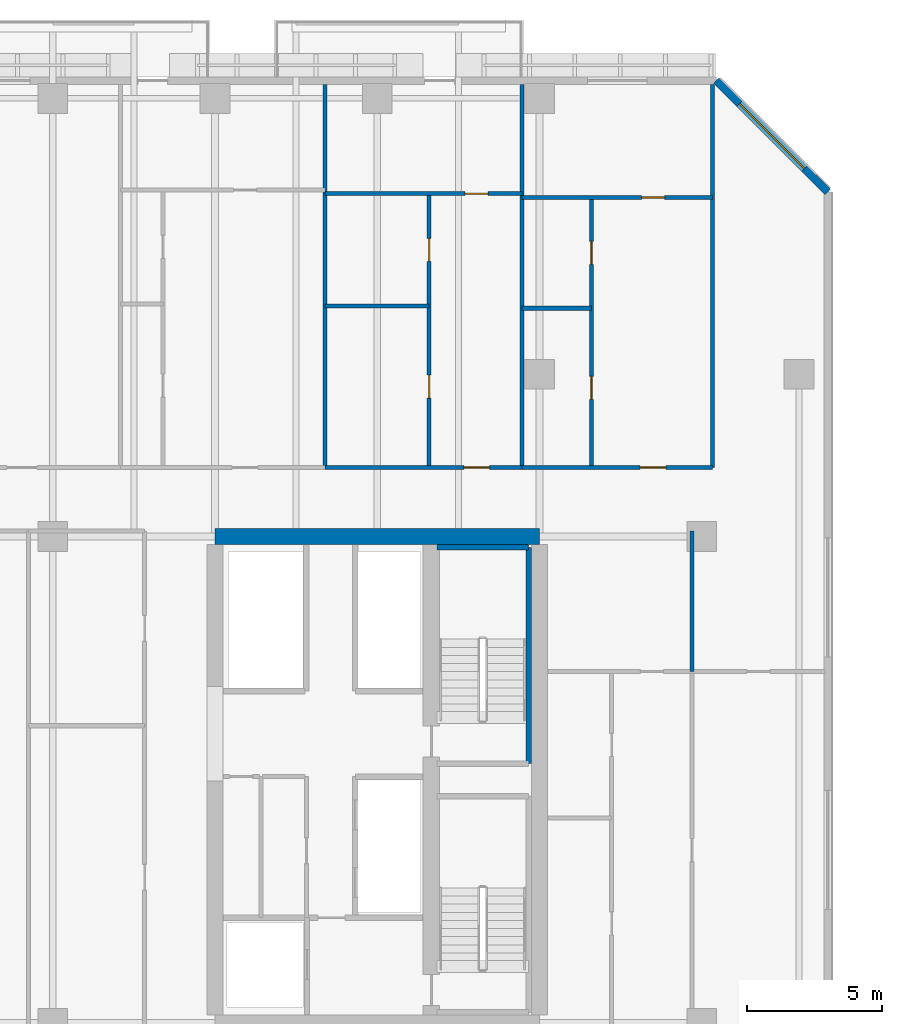
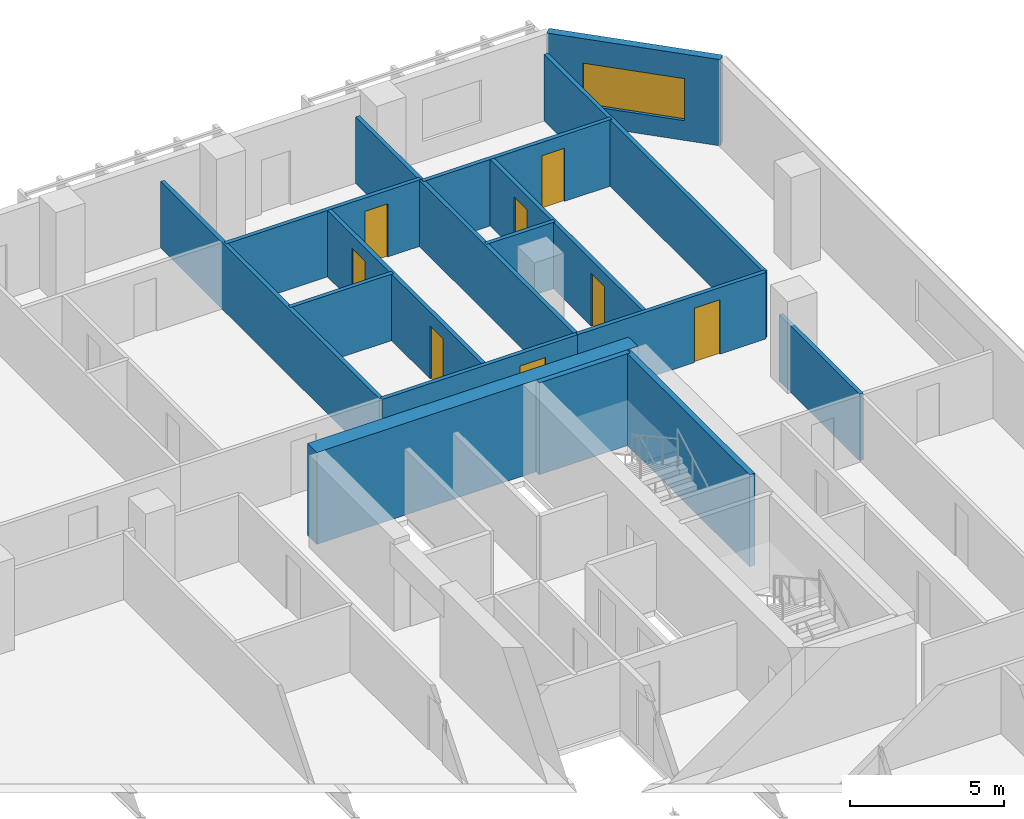
# One storey, part 16 of 26: 16 walls, 8 doors, 1 window, 9 openings.
"""IFC4 building model written with IfcOpenShell, lengths in metres."""

from ifc_helpers import new_model, si_unit, direction, frame, frame_2d, origin, place, context, subcontext, project, spatial, rectangle, extrude, material, layer, layer_set, type_object, element, fill, save


model = new_model("IFC4")

# Units and contexts
model_context = context("Model", 3, precision=1e-05, world=origin(), true_north=direction((0.0, 1.0)))
body_context = subcontext(model_context, "Body", "Model", "MODEL_VIEW")
ifc_project = project(units=[si_unit("LENGTHUNIT", "METRE"), si_unit("AREAUNIT", "SQUARE_METRE"), si_unit("VOLUMEUNIT", "CUBIC_METRE"), si_unit("PLANEANGLEUNIT", "RADIAN"), si_unit("MASSUNIT", "GRAM", prefix="KILO")], contexts=[model_context])

# Site, building, storey
site_placement = place(None, origin())
site = spatial("IfcSite", under=ifc_project, at=site_placement, CompositionType="ELEMENT")
building_placement = place(site_placement, origin())
building = spatial("IfcBuilding", under=site, at=building_placement, Name="Tanjung Sevakor Pilgrim Tower", CompositionType="ELEMENT")
storey_placement = place(building_placement, frame((0.0, 0.0, 66.0)))
storey = spatial("IfcBuildingStorey", under=building, at=storey_placement, Name="L18", CompositionType="ELEMENT", Elevation=66.0)

# Walls
ifc_material_1 = material(Name="Concrete C60/75", Category="concrete")
ifc_layer_1 = layer(ifc_material_1, 0.60009765625)
ifc_layer_set_1 = layer_set([ifc_layer_1], Name="WALL-CW-600")
wall_type_1 = type_object("IfcWallType", Name="WALL-CW-600", PredefinedType="SHEAR", material=ifc_layer_set_1)
wall_1_placement = place(storey_placement, frame((90.0, 42.60009765625, 0.0), z_axis=(0.0, 0.0, 1.0), x_axis=(-1.0, 0.0, 0.0)))
element("IfcWall", 1, at=wall_1_placement, inside=storey, type_object=wall_type_1, Name="L18 E Core North Shear Wall", PredefinedType="SHEAR", context=body_context, shape_type="SweptSolid", body=[
    extrude(rectangle(XDim=12.0, YDim=0.60009765625, at=frame_2d((6.0, 0.0))), origin(), (0.0, 0.0, 1.0), 3.6298828125),
])
ifc_material_2 = material(Name="Concrete C40/50", Category="concrete")
ifc_layer_2 = layer(ifc_material_2, 0.14990234375)
ifc_layer_set_2 = layer_set([ifc_layer_2], Name="WT-COMP-150")
wall_type_2 = type_object("IfcWallType", Name="WT-COMP-150", PredefinedType="SOLIDWALL", material=ifc_layer_set_2)
for number, where, z_axis, x_axis, name in (
    (2, (96.39990234375, 45.14990234375, 0.0), (0.0, 0.0, 1.0), (0.0, 1.0, 0.0), "L18 Partition IW-L18-091"),
    (3, (82.05908203125, 45.14990234375, 0.0), (0.0, 0.0, 1.0), (0.0, 1.0, 0.0), "L18 Partition IW-L18-104"),
    (4, (89.355224609375, 45.14990234375, 0.0), (0.0, 0.0, 1.0), (0.0, 1.0, 0.0), "L18 Partition IW-L18-109"),
):
    element("IfcWall", number, at=place(storey_placement, frame(where, z_axis=z_axis, x_axis=x_axis)), inside=storey, type_object=wall_type_2, Name=name, PredefinedType="SOLIDWALL", context=body_context, shape_type="SweptSolid", body=[
        extrude(rectangle(XDim=14.170166015625, YDim=0.14990234375, at=frame_2d((7.0849609375, 0.0))), origin(), (0.0, 0.0, 1.0), 2.6298828125),
    ])

# Wall, opening, door
wall_2_placement = place(storey_placement, frame((82.05908203125, 45.14990234375, 0.0), z_axis=(0.0, 0.0, 1.0), x_axis=(1.0, 0.0, 0.0)))
wall_2 = element("IfcWall", 5, at=wall_2_placement, inside=storey, type_object=wall_type_2, Name="L18 Partition IW-L18-113", PredefinedType="SOLIDWALL", context=body_context, shape_type="SweptSolid", body=[
    extrude(rectangle(XDim=7.296142578125, YDim=0.14990234375, at=frame_2d((3.64794921875, 0.0))), origin(), (0.0, 0.0, 1.0), 2.6298828125),
])
opening_1_placement = place(wall_2_placement, frame((5.1435546875, 0.0, 0.0)))
opening_1 = element("IfcOpeningElement", 6, at=opening_1_placement, cuts=wall_2, Name="Opening ID-FD2", PredefinedType="OPENING", context=body_context, shape_type="SweptSolid", body=[
    extrude(rectangle(XDim=0.949951171875, YDim=2.14990234375, at=frame_2d((0.47509765625, 1.074951171875))), frame((0.0, 0.0849609375, 0.0), z_axis=(0.0, -1.0, 0.0), x_axis=(1.0, 0.0, 0.0)), (0.0, 0.0, 1.0), 0.169921875),
])
ifc_material_3 = material(Name="Fire-Rated Timber", Category="wood")
door_type_1 = type_object("IfcDoorType", Name="DT-FIRE-950", OperationType="NOTDEFINED", PredefinedType="DOOR", material=ifc_material_3)
door_1_placement = place(opening_1_placement, origin())
door_1 = element("IfcDoor", 7, at=door_1_placement, inside=storey, type_object=door_type_1, Name="Residence Entrance", OperationType="SINGLE_SWING_LEFT", OverallHeight=2.14990234375, OverallWidth=0.949951171875, PredefinedType="DOOR", context=body_context, shape_type="SweptSolid", body=[
    extrude(rectangle(XDim=0.949951171875, YDim=2.14990234375, at=frame_2d((0.47509765625, 1.074951171875))), frame((0.0, 0.02490234375, 0.0), z_axis=(0.0, -1.0, 0.0), x_axis=(1.0, 0.0, 0.0)), (0.0, 0.0, 1.0), 0.050048828125),
])
fill(opening_1, door_1)

wall_3_placement = place(storey_placement, frame((89.355224609375, 45.14990234375, 0.0), z_axis=(0.0, 0.0, 1.0), x_axis=(1.0, 0.0, 0.0)))
wall_3 = element("IfcWall", 8, at=wall_3_placement, inside=storey, type_object=wall_type_2, Name="L18 Partition IW-L18-117", PredefinedType="SOLIDWALL", context=body_context, shape_type="SweptSolid", body=[
    extrude(rectangle(XDim=7.044677734375, YDim=0.14990234375, at=frame_2d((3.5224609375, 0.0))), origin(), (0.0, 0.0, 1.0), 2.6298828125),
])
opening_2_placement = place(wall_3_placement, frame((4.36962890625, 0.0, 0.0)))
opening_2 = element("IfcOpeningElement", 9, at=opening_2_placement, cuts=wall_3, Name="Opening ID-FD2", PredefinedType="OPENING", context=body_context, shape_type="SweptSolid", body=[
    extrude(rectangle(XDim=0.949951171875, YDim=2.14990234375, at=frame_2d((0.47509765625, 1.074951171875))), frame((0.0, 0.0849609375, 0.0), z_axis=(0.0, -1.0, 0.0), x_axis=(1.0, 0.0, 0.0)), (0.0, 0.0, 1.0), 0.169921875),
])
door_2_placement = place(opening_2_placement, origin())
door_2 = element("IfcDoor", 10, at=door_2_placement, inside=storey, type_object=door_type_1, Name="Residence Entrance", OperationType="SINGLE_SWING_LEFT", OverallHeight=2.14990234375, OverallWidth=0.949951171875, PredefinedType="DOOR", context=body_context, shape_type="SweptSolid", body=[
    extrude(rectangle(XDim=0.949951171875, YDim=2.14990234375, at=frame_2d((0.47509765625, 1.074951171875))), frame((0.0, 0.02490234375, 0.0), z_axis=(0.0, -1.0, 0.0), x_axis=(1.0, 0.0, 0.0)), (0.0, 0.0, 1.0), 0.050048828125),
])
fill(opening_2, door_2)

# Wall, opening, window
ifc_material_4 = material(Name="Precast concrete C45/55", Category="concrete")
ifc_layer_3 = layer(ifc_material_4, 0.280029296875)
ifc_layer_set_3 = layer_set([ifc_layer_3], Name="WT-EW-STN2")
wall_type_3 = type_object("IfcWallType", Name="WT-EW-STN2", PredefinedType="SOLIDWALL", material=ifc_layer_set_3)
wall_4_placement = place(storey_placement, frame((100.659912109375, 55.342041015625, 0.0), z_axis=(0.0, 0.0, 1.0), x_axis=(-0.707106781187, 0.707106781187, 0.0)))
wall_4 = element("IfcWall", 11, at=wall_4_placement, inside=storey, type_object=wall_type_3, Name="L18 MAIN Sculpted Corner Wall 7", PredefinedType="SOLIDWALL", context=body_context, shape_type="SweptSolid", body=[
    extrude(rectangle(XDim=5.82373046875, YDim=0.280029296875, at=frame_2d((2.911865234375, 0.0))), origin(), (0.0, 0.0, 1.0), 3.409912109375),
])
opening_3_placement = place(wall_4_placement, frame((1.2119140625, 0.0, 0.780029296875)))
opening_3 = element("IfcOpeningElement", 12, at=opening_3_placement, cuts=wall_4, Name="Opening WN-CHM-1660", PredefinedType="OPENING", context=body_context, shape_type="SweptSolid", body=[
    extrude(rectangle(XDim=3.39990234375, YDim=1.659912109375, at=frame_2d((1.699951171875, 0.830078125))), frame((0.0, 0.14990234375, 0.0), z_axis=(0.0, -1.0, 0.0), x_axis=(1.0, 0.0, 0.0)), (0.0, 0.0, 1.0), 0.300048828125),
])
ifc_material_5 = material(Name="Thermally Broken Aluminium and Low-E Glass", Category="aluminium")
window_type = type_object("IfcWindowType", Name="WTYP-WN-CHM-1660", PartitioningType="DOUBLE_PANEL_VERTICAL", PredefinedType="WINDOW", material=ifc_material_5)
window_placement = place(opening_3_placement, origin())
window = element("IfcWindow", 13, at=window_placement, inside=storey, type_object=window_type, Name="L18 Facade Window 01", OverallHeight=1.659912109375, OverallWidth=3.39990234375, PartitioningType="SINGLE_PANEL", PredefinedType="WINDOW", context=body_context, shape_type="SweptSolid", body=[
    extrude(rectangle(XDim=3.39990234375, YDim=1.659912109375, at=frame_2d((1.699951171875, 0.830078125))), frame((0.0, 0.030029296875, 0.0), z_axis=(0.0, -1.0, 0.0), x_axis=(1.0, 0.0, 0.0)), (0.0, 0.0, 1.0), 0.06005859375),
])
fill(opening_3, window)

# Walls
ifc_material_6 = material(Name="Concrete C40/50", Category="concrete")
ifc_layer_4 = layer(ifc_material_6, 0.199951171875)
ifc_layer_set_4 = layer_set([ifc_layer_4], Name="WT-FIRE-200")
wall_type_4 = type_object("IfcWallType", Name="WT-FIRE-200", PredefinedType="SOLIDWALL", material=ifc_layer_set_4)
wall_5_placement = place(storey_placement, frame((89.60009765625, 34.199951171875, 0.0), z_axis=(0.0, 0.0, 1.0), x_axis=(0.0, 1.0, 0.0)))
element("IfcWall", 14, at=wall_5_placement, inside=storey, type_object=wall_type_4, Name="L18 TS-E2 Shaft Wall 2", PredefinedType="SOLIDWALL", context=body_context, shape_type="SweptSolid", body=[
    extrude(rectangle(XDim=8.0, YDim=0.199951171875, at=frame_2d((4.0, 0.0))), origin(), (0.0, 0.0, 1.0), 3.6298828125),
])
wall_6_placement = place(storey_placement, frame((89.60009765625, 42.199951171875, 0.0), z_axis=(0.0, 0.0, 1.0), x_axis=(-1.0, 0.0, 0.0)))
element("IfcWall", 15, at=wall_6_placement, inside=storey, type_object=wall_type_4, Name="L18 TS-E2 Shaft Wall 3", PredefinedType="SOLIDWALL", context=body_context, shape_type="SweptSolid", body=[
    extrude(rectangle(XDim=3.400146484375, YDim=0.199951171875, at=frame_2d((1.7001953125, 0.0))), origin(), (0.0, 0.0, 1.0), 3.6298828125),
])
ifc_material_7 = material(Name="Gypsum Board Partition", Category="gypsum board")
ifc_layer_5 = layer(ifc_material_7, 0.14990234375)
ifc_layer_set_5 = layer_set([ifc_layer_5], Name="WT-PART-150")
wall_type_5 = type_object("IfcWallType", Name="WT-PART-150", PredefinedType="PARTITIONING", material=ifc_layer_set_5)
wall_7_placement = place(storey_placement, frame((95.644775390625, 37.60009765625, 0.0), z_axis=(0.0, 0.0, 1.0), x_axis=(0.0, 1.0, 0.0)))
element("IfcWall", 16, at=wall_7_placement, inside=storey, type_object=wall_type_5, Name="L18 Partition IW-L18-043", PredefinedType="PARTITIONING", context=body_context, shape_type="SweptSolid", body=[
    extrude(rectangle(XDim=5.199951171875, YDim=0.14990234375, at=frame_2d((2.60009765625, 0.0))), origin(), (0.0, 0.0, 1.0), 2.6298828125),
])
wall_8_placement = place(storey_placement, frame((82.05908203125, 51.124755859375, 0.0), z_axis=(0.0, 0.0, 1.0), x_axis=(1.0, 0.0, 0.0)))
element("IfcWall", 17, at=wall_8_placement, inside=storey, type_object=wall_type_5, Name="L18 Partition IW-L18-110", PredefinedType="PARTITIONING", context=body_context, shape_type="SweptSolid", body=[
    extrude(rectangle(XDim=3.86083984375, YDim=0.14990234375, at=frame_2d((1.930419921875, 0.0))), origin(), (0.0, 0.0, 1.0), 2.6298828125),
])

# Wall, openings, doors
wall_9_placement = place(storey_placement, frame((85.919921875, 45.14990234375, 0.0), z_axis=(0.0, 0.0, 1.0), x_axis=(0.0, 1.0, 0.0)))
wall_9 = element("IfcWall", 18, at=wall_9_placement, inside=storey, type_object=wall_type_5, Name="L18 Partition IW-L18-111", PredefinedType="PARTITIONING", context=body_context, shape_type="SweptSolid", body=[
    extrude(rectangle(XDim=10.126708984375, YDim=0.14990234375, at=frame_2d((5.0634765625, 0.0))), origin(), (0.0, 0.0, 1.0), 2.6298828125),
])
opening_4_placement = place(wall_9_placement, frame((2.5625, 0.0, 0.0)))
opening_4 = element("IfcOpeningElement", 19, at=opening_4_placement, cuts=wall_9, Name="Opening ID-WC1", PredefinedType="OPENING", context=body_context, shape_type="SweptSolid", body=[
    extrude(rectangle(XDim=0.85009765625, YDim=2.10009765625, at=frame_2d((0.425048828125, 1.050048828125))), frame((0.0, 0.0849609375, 0.0), z_axis=(0.0, -1.0, 0.0), x_axis=(1.0, 0.0, 0.0)), (0.0, 0.0, 1.0), 0.169921875),
])
opening_5_placement = place(wall_9_placement, frame((7.625732421875, 0.0, 0.0)))
opening_5 = element("IfcOpeningElement", 20, at=opening_5_placement, cuts=wall_9, Name="Opening ID-WC1", PredefinedType="OPENING", context=body_context, shape_type="SweptSolid", body=[
    extrude(rectangle(XDim=0.85009765625, YDim=2.10009765625, at=frame_2d((0.425048828125, 1.050048828125))), frame((0.0, 0.0849609375, 0.0), z_axis=(0.0, -1.0, 0.0), x_axis=(1.0, 0.0, 0.0)), (0.0, 0.0, 1.0), 0.169921875),
])
ifc_material_8 = material(Name="Moisture-Resistant Timber", Category="wood")
door_type_2 = type_object("IfcDoorType", Name="DT-INT-850", OperationType="NOTDEFINED", PredefinedType="DOOR", material=ifc_material_8)
door_3_placement = place(opening_4_placement, origin())
door_3 = element("IfcDoor", 21, at=door_3_placement, inside=storey, type_object=door_type_2, Name="Residence Kitchenette Door", OperationType="SINGLE_SWING_RIGHT", OverallHeight=2.10009765625, OverallWidth=0.85009765625, PredefinedType="DOOR", context=body_context, shape_type="SweptSolid", body=[
    extrude(rectangle(XDim=0.85009765625, YDim=2.10009765625, at=frame_2d((0.425048828125, 1.050048828125))), frame((0.0, 0.02490234375, 0.0), z_axis=(0.0, -1.0, 0.0), x_axis=(1.0, 0.0, 0.0)), (0.0, 0.0, 1.0), 0.050048828125),
])
fill(opening_4, door_3)
door_4_placement = place(opening_5_placement, origin())
door_4 = element("IfcDoor", 22, at=door_4_placement, inside=storey, type_object=door_type_2, Name="Residence Bathroom Door", OperationType="SINGLE_SWING_LEFT", OverallHeight=2.10009765625, OverallWidth=0.85009765625, PredefinedType="DOOR", context=body_context, shape_type="SweptSolid", body=[
    extrude(rectangle(XDim=0.85009765625, YDim=2.10009765625, at=frame_2d((0.425048828125, 1.050048828125))), frame((0.0, 0.02490234375, 0.0), z_axis=(0.0, -1.0, 0.0), x_axis=(1.0, 0.0, 0.0)), (0.0, 0.0, 1.0), 0.050048828125),
])
fill(opening_5, door_4)

# Wall, opening, door
wall_10_placement = place(storey_placement, frame((82.05908203125, 55.276611328125, 0.0), z_axis=(0.0, 0.0, 1.0), x_axis=(1.0, 0.0, 0.0)))
wall_10 = element("IfcWall", 23, at=wall_10_placement, inside=storey, type_object=wall_type_5, Name="L18 Partition IW-L18-112", PredefinedType="PARTITIONING", context=body_context, shape_type="SweptSolid", body=[
    extrude(rectangle(XDim=7.296142578125, YDim=0.14990234375, at=frame_2d((3.64794921875, 0.0))), origin(), (0.0, 0.0, 1.0), 2.6298828125),
])
opening_6_placement = place(wall_10_placement, frame((5.193603515625, 0.0, 0.0)))
opening_6 = element("IfcOpeningElement", 24, at=opening_6_placement, cuts=wall_10, Name="Opening ID-WC1", PredefinedType="OPENING", context=body_context, shape_type="SweptSolid", body=[
    extrude(rectangle(XDim=0.85009765625, YDim=2.10009765625, at=frame_2d((0.425048828125, 1.050048828125))), frame((0.0, 0.0849609375, 0.0), z_axis=(0.0, -1.0, 0.0), x_axis=(1.0, 0.0, 0.0)), (0.0, 0.0, 1.0), 0.169921875),
])
door_5_placement = place(opening_6_placement, origin())
door_5 = element("IfcDoor", 25, at=door_5_placement, inside=storey, type_object=door_type_2, Name="Residence Bedroom Door", OperationType="SINGLE_SWING_RIGHT", OverallHeight=2.10009765625, OverallWidth=0.85009765625, PredefinedType="DOOR", context=body_context, shape_type="SweptSolid", body=[
    extrude(rectangle(XDim=0.85009765625, YDim=2.10009765625, at=frame_2d((0.425048828125, 1.050048828125))), frame((0.0, 0.02490234375, 0.0), z_axis=(0.0, -1.0, 0.0), x_axis=(1.0, 0.0, 0.0)), (0.0, 0.0, 1.0), 0.050048828125),
])
fill(opening_6, door_5)

# Wall
wall_11_placement = place(storey_placement, frame((89.355224609375, 51.039794921875, 0.0), z_axis=(0.0, 0.0, 1.0), x_axis=(1.0, 0.0, 0.0)))
element("IfcWall", 26, at=wall_11_placement, inside=storey, type_object=wall_type_5, Name="L18 Partition IW-L18-114", PredefinedType="PARTITIONING", context=body_context, shape_type="SweptSolid", body=[
    extrude(rectangle(XDim=2.564697265625, YDim=0.14990234375, at=frame_2d((1.2822265625, 0.0))), origin(), (0.0, 0.0, 1.0), 2.6298828125),
])

# Wall, openings, doors
wall_12_placement = place(storey_placement, frame((91.919921875, 45.14990234375, 0.0), z_axis=(0.0, 0.0, 1.0), x_axis=(0.0, 1.0, 0.0)))
wall_12 = element("IfcWall", 27, at=wall_12_placement, inside=storey, type_object=wall_type_5, Name="L18 Partition IW-L18-115", PredefinedType="PARTITIONING", context=body_context, shape_type="SweptSolid", body=[
    extrude(rectangle(XDim=9.982666015625, YDim=0.14990234375, at=frame_2d((4.9912109375, 0.0))), origin(), (0.0, 0.0, 1.0), 2.6298828125),
])
opening_7_placement = place(wall_12_placement, frame((2.52001953125, 0.0, 0.0)))
opening_7 = element("IfcOpeningElement", 28, at=opening_7_placement, cuts=wall_12, Name="Opening ID-WC1", PredefinedType="OPENING", context=body_context, shape_type="SweptSolid", body=[
    extrude(rectangle(XDim=0.85009765625, YDim=2.10009765625, at=frame_2d((0.425048828125, 1.050048828125))), frame((0.0, 0.0849609375, 0.0), z_axis=(0.0, -1.0, 0.0), x_axis=(1.0, 0.0, 0.0)), (0.0, 0.0, 1.0), 0.169921875),
])
opening_8_placement = place(wall_12_placement, frame((7.510986328125, 0.0, 0.0)))
opening_8 = element("IfcOpeningElement", 29, at=opening_8_placement, cuts=wall_12, Name="Opening ID-WC1", PredefinedType="OPENING", context=body_context, shape_type="SweptSolid", body=[
    extrude(rectangle(XDim=0.85009765625, YDim=2.10009765625, at=frame_2d((0.425048828125, 1.050048828125))), frame((0.0, 0.0849609375, 0.0), z_axis=(0.0, -1.0, 0.0), x_axis=(1.0, 0.0, 0.0)), (0.0, 0.0, 1.0), 0.169921875),
])
door_6_placement = place(opening_7_placement, origin())
door_6 = element("IfcDoor", 30, at=door_6_placement, inside=storey, type_object=door_type_2, Name="Residence Kitchenette Door", OperationType="SINGLE_SWING_RIGHT", OverallHeight=2.10009765625, OverallWidth=0.85009765625, PredefinedType="DOOR", context=body_context, shape_type="SweptSolid", body=[
    extrude(rectangle(XDim=0.85009765625, YDim=2.10009765625, at=frame_2d((0.425048828125, 1.050048828125))), frame((0.0, 0.02490234375, 0.0), z_axis=(0.0, -1.0, 0.0), x_axis=(1.0, 0.0, 0.0)), (0.0, 0.0, 1.0), 0.050048828125),
])
fill(opening_7, door_6)
door_7_placement = place(opening_8_placement, origin())
door_7 = element("IfcDoor", 31, at=door_7_placement, inside=storey, type_object=door_type_2, Name="Residence Bathroom Door", OperationType="SINGLE_SWING_LEFT", OverallHeight=2.10009765625, OverallWidth=0.85009765625, PredefinedType="DOOR", context=body_context, shape_type="SweptSolid", body=[
    extrude(rectangle(XDim=0.85009765625, YDim=2.10009765625, at=frame_2d((0.425048828125, 1.050048828125))), frame((0.0, 0.02490234375, 0.0), z_axis=(0.0, -1.0, 0.0), x_axis=(1.0, 0.0, 0.0)), (0.0, 0.0, 1.0), 0.050048828125),
])
fill(opening_8, door_7)

# Wall, opening, door
wall_13_placement = place(storey_placement, frame((89.355224609375, 55.132568359375, 0.0), z_axis=(0.0, 0.0, 1.0), x_axis=(1.0, 0.0, 0.0)))
wall_13 = element("IfcWall", 32, at=wall_13_placement, inside=storey, type_object=wall_type_5, Name="L18 Partition IW-L18-116", PredefinedType="PARTITIONING", context=body_context, shape_type="SweptSolid", body=[
    extrude(rectangle(XDim=7.044677734375, YDim=0.14990234375, at=frame_2d((3.5224609375, 0.0))), origin(), (0.0, 0.0, 1.0), 2.6298828125),
])
opening_9_placement = place(wall_13_placement, frame((4.419677734375, 0.0, 0.0)))
opening_9 = element("IfcOpeningElement", 33, at=opening_9_placement, cuts=wall_13, Name="Opening ID-WC1", PredefinedType="OPENING", context=body_context, shape_type="SweptSolid", body=[
    extrude(rectangle(XDim=0.85009765625, YDim=2.10009765625, at=frame_2d((0.425048828125, 1.050048828125))), frame((0.0, 0.0849609375, 0.0), z_axis=(0.0, -1.0, 0.0), x_axis=(1.0, 0.0, 0.0)), (0.0, 0.0, 1.0), 0.169921875),
])
door_8_placement = place(opening_9_placement, origin())
door_8 = element("IfcDoor", 34, at=door_8_placement, inside=storey, type_object=door_type_2, Name="Residence Bedroom Door", OperationType="SINGLE_SWING_RIGHT", OverallHeight=2.10009765625, OverallWidth=0.85009765625, PredefinedType="DOOR", context=body_context, shape_type="SweptSolid", body=[
    extrude(rectangle(XDim=0.85009765625, YDim=2.10009765625, at=frame_2d((0.425048828125, 1.050048828125))), frame((0.0, 0.02490234375, 0.0), z_axis=(0.0, -1.0, 0.0), x_axis=(1.0, 0.0, 0.0)), (0.0, 0.0, 1.0), 0.050048828125),
])
fill(opening_9, door_8)

save(model, "model.ifc")
